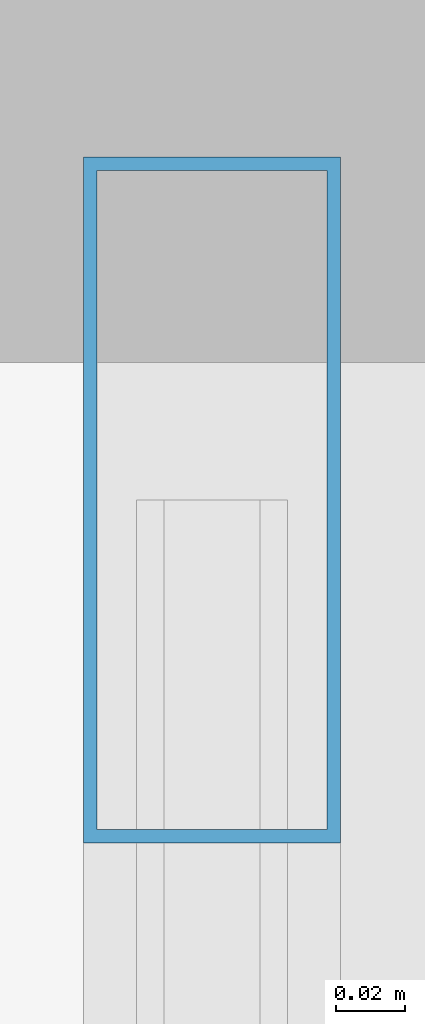
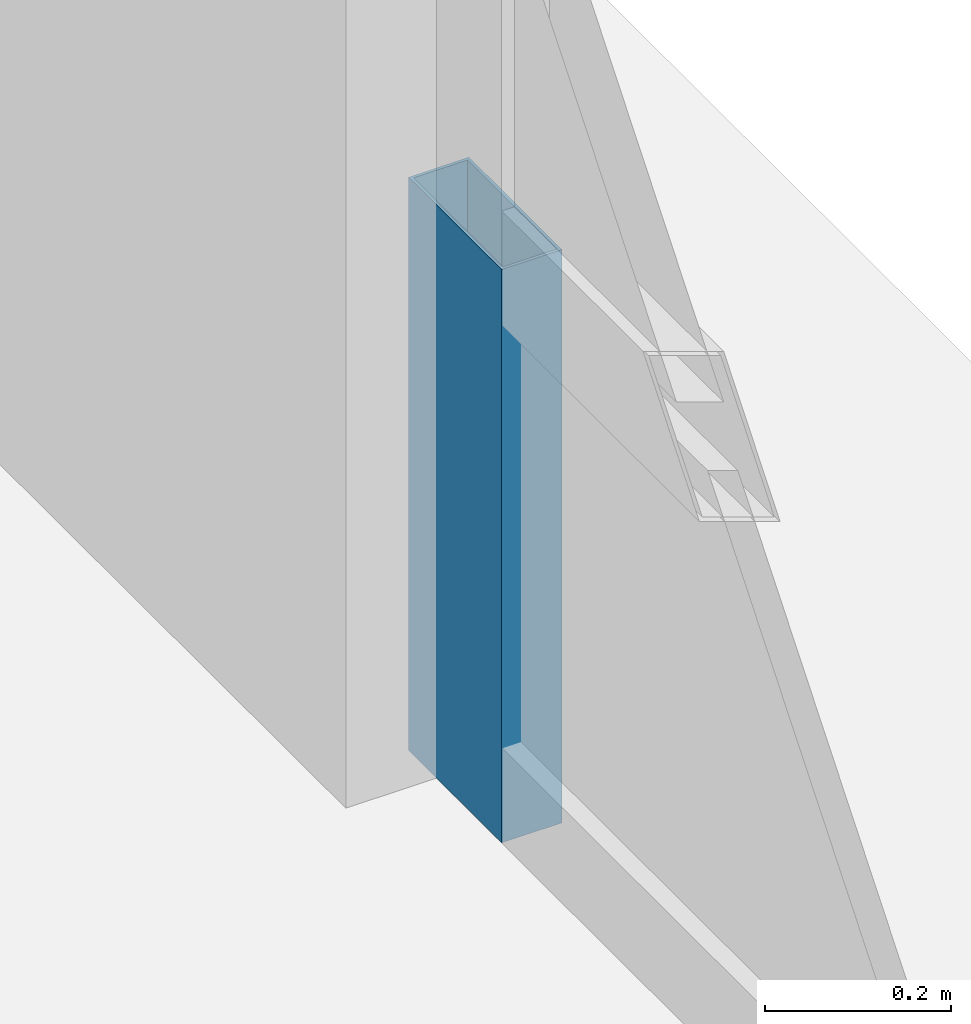
# One storey, part 28 of 34: 1 member, 1 element without a shape of its own.
"""IFC4 building model written with IfcOpenShell, lengths in metres."""

from ifc_helpers import new_model, si_unit, direction, frame, origin, origin_2d, place, context, subcontext, project, spatial, hollow_rectangle, extrude, source, transform, mapped, material, layer, layer_set, material_profile, profile_set, type_object, element, aggregate, save


model = new_model("IFC4")

# Units and contexts
model_context = context("Model", 3, precision=1e-05, world=origin(), true_north=direction((0.0, 1.0)))
body_context = subcontext(model_context, "Body", "Model", "MODEL_VIEW")
ifc_project = project(units=[si_unit("LENGTHUNIT", "METRE"), si_unit("AREAUNIT", "SQUARE_METRE"), si_unit("VOLUMEUNIT", "CUBIC_METRE"), si_unit("PLANEANGLEUNIT", "RADIAN"), si_unit("MASSUNIT", "GRAM", prefix="KILO"), si_unit("THERMODYNAMICTEMPERATUREUNIT", "KELVIN"), si_unit("POWERUNIT", "WATT")], contexts=[model_context])

# Site, building, storey
site_placement = place(None, origin())
site = spatial("IfcSite", under=ifc_project, at=site_placement, CompositionType="ELEMENT")
building_placement = place(site_placement, origin())
building = spatial("IfcBuilding", under=site, at=building_placement, Name="Yuzanri Waterfront Tower", CompositionType="ELEMENT")
storey_placement = place(building_placement, frame((0.0, 0.0, 328.699951171875)))
storey = spatial("IfcBuildingStorey", under=building, at=storey_placement, Name="L88", CompositionType="ELEMENT", Elevation=328.699951171875)

# Curtain wall, member
ifc_material_1 = material(Name="Anodized Architectural Bronze", Category="metal")
ifc_layer = layer(ifc_material_1, 0.159912109375)
ifc_layer_set = layer_set([ifc_layer], Name="Anodized Architectural Bronze")
curtain_wall_type = type_object("IfcCurtainWallType", Name="Anodized Bronze High-Rise Penthouse High-Wind Unitized Curtain Wall 6900", PredefinedType="NOTDEFINED", material=ifc_layer_set)
curtain_wall_placement = place(storey_placement, origin())
curtain_wall = element("IfcCurtainWall", 1, at=curtain_wall_placement, inside=storey, type_object=curtain_wall_type, Name="L88 Curtain Wall CW-L88-ER", PredefinedType="NOTDEFINED")
ifc_material_2 = material(Name="Anodized Architectural Bronze", Category="metal")
ifc_material_profile = material_profile(ifc_material_2, hollow_rectangle(XDim=0.074951171875, YDim=0.199951171875, WallThickness=0.00390625, at=origin_2d()), Name="CWM 75x200")
ifc_profile_set = profile_set([ifc_material_profile], Name="Anodized Architectural Bronze")
member_type = type_object("IfcMemberType", Name="Anodized Bronze Primary Curtain-Wall Mullion 75x200", PredefinedType="MULLION", material=ifc_profile_set)
shared_shape = source(origin(), body_context, "Body", "SweptSolid", [
    extrude(hollow_rectangle(XDim=0.074951171875, YDim=0.199951171875, WallThickness=0.00390625, at=origin_2d()), origin(), (0.0, 0.0, 1.0), 0.751953125),
])
member_placement = place(storey_placement, frame((55.949951171875, 37.510009765625, 0.0), z_axis=(0.0, 0.0, 1.0), x_axis=(1.0, 0.0, 0.0)))
member = element("IfcMember", 2, at=member_placement, type_object=member_type, Name="CW-L88-ER Lower Mullion 02", PredefinedType="MULLION", context=body_context, shape_type="MappedRepresentation", body=[
    mapped(shared_shape, transform((0.0, 0.0, 0.0), scale=1.0)),
])
aggregate(curtain_wall, [member])

save(model, "model.ifc")
